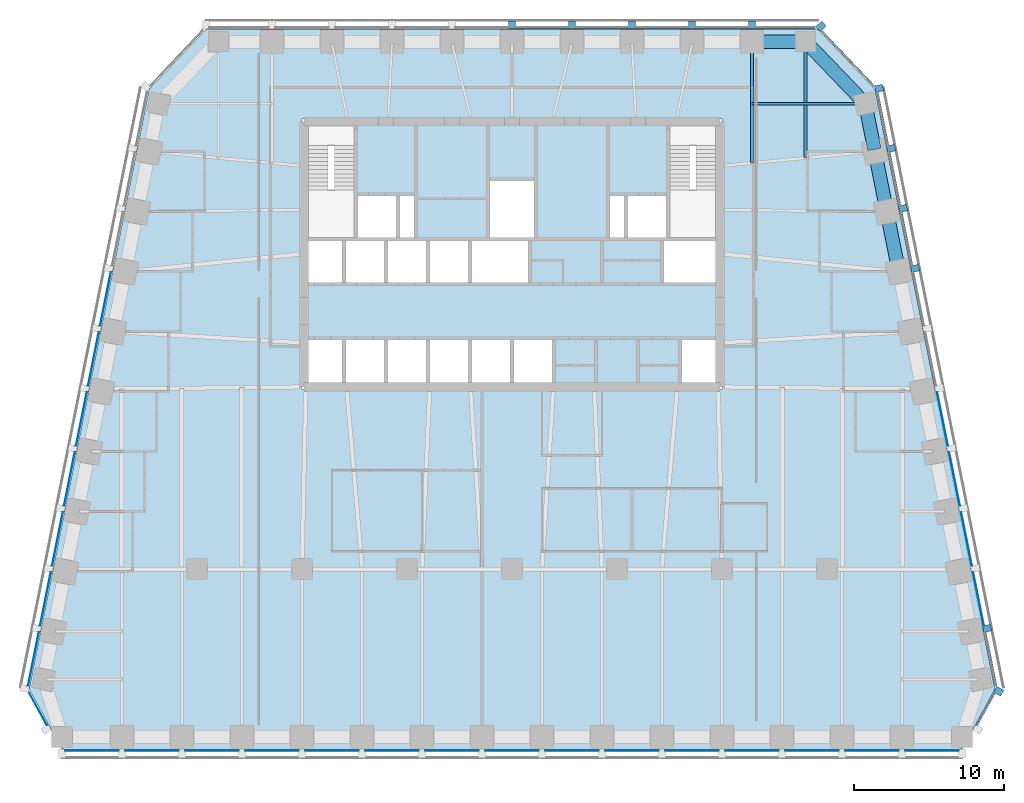
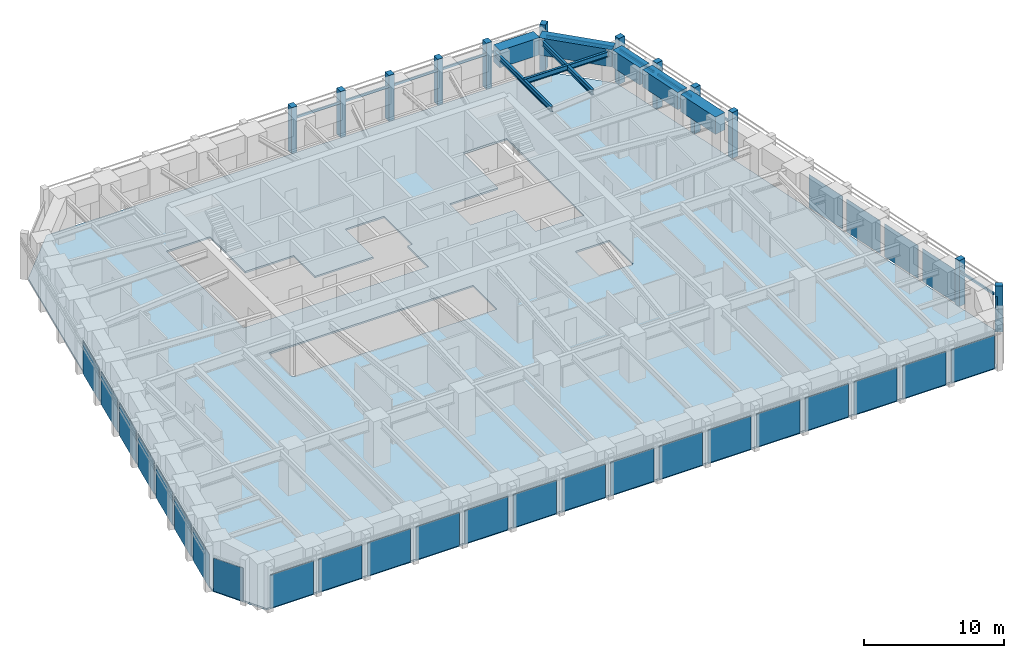
# One storey, part 4 of 10: 27 plates, 23 members, 8 beams, 1 slab, 7 elements without a shape of their own.
"""IFC4 building model written with IfcOpenShell, lengths in metres."""

from ifc_helpers import new_model, si_unit, direction, frame, origin, origin_2d, place, context, subcontext, project, spatial, polyline, rectangle, i_section, outline, extrude, material, layer, layer_set, material_profile, profile_set, type_object, element, aggregate, save


model = new_model("IFC4")

# Units and contexts
model_context = context("Model", 3, precision=1e-05, world=origin(), true_north=direction((0.0, 1.0)))
body_context = subcontext(model_context, "Body", "Model", "MODEL_VIEW")
ifc_project = project(units=[si_unit("LENGTHUNIT", "METRE"), si_unit("AREAUNIT", "SQUARE_METRE"), si_unit("VOLUMEUNIT", "CUBIC_METRE"), si_unit("PLANEANGLEUNIT", "RADIAN"), si_unit("MASSUNIT", "GRAM", prefix="KILO")], contexts=[model_context])

# Site, building, storey
site_placement = place(None, origin())
site = spatial("IfcSite", under=ifc_project, at=site_placement, CompositionType="ELEMENT")
building_placement = place(site_placement, origin())
building = spatial("IfcBuilding", under=site, at=building_placement, Name="Isbrekke Arena Tower", CompositionType="ELEMENT")
storey_placement = place(building_placement, frame((0.0, 0.0, 194.0)))
storey = spatial("IfcBuildingStorey", under=building, at=storey_placement, Name="L44", CompositionType="ELEMENT", Elevation=194.0)

# Beams
ifc_material_1 = material(Name="Steel S355", Category="steel")
ifc_material_profile_1 = material_profile(ifc_material_1, i_section(OverallWidth=0.18994140625, OverallDepth=0.449951171875, WebThickness=0.009521484375, FlangeThickness=0.0146484375, FilletRadius=0.02099609375, at=origin_2d()), Name="IPE 450")
ifc_profile_set_1 = profile_set([ifc_material_profile_1], Name="Steel S355")
beam_type_1 = type_object("IfcBeamType", Name="B2 IPE 450", PredefinedType="BEAM", material=ifc_profile_set_1)
beam_1_placement = place(storey_placement, frame((23.40283203125, 25.029296875, 3.625), z_axis=(-1.0, 0.0, 0.0), x_axis=(0.0, -1.0, 0.0)))
element("IfcBeam", 1, at=beam_1_placement, inside=storey, type_object=beam_type_1, Name="B2 beam E-E11 L44", PredefinedType="BEAM", context=body_context, shape_type="SweptSolid", body=[
    extrude(i_section(OverallWidth=0.18994140625, OverallDepth=0.449951171875, WebThickness=0.009521484375, FlangeThickness=0.0146484375, FilletRadius=0.02099609375, at=origin_2d()), origin(), (0.0, 0.0, 1.0), 7.40283203125),
])
ifc_material_2 = material(Name="Steel S355", Category="steel")
ifc_material_profile_2 = material_profile(ifc_material_2, i_section(OverallWidth=0.18994140625, OverallDepth=0.449951171875, WebThickness=0.009521484375, FlangeThickness=0.0146484375, FilletRadius=0.02099609375, at=origin_2d()), Name="IPE 450")
ifc_profile_set_2 = profile_set([ifc_material_profile_2], Name="Steel S355")
beam_type_2 = type_object("IfcBeamType", Name="B3 IPE 450", PredefinedType="BEAM", material=ifc_profile_set_2)
beam_2_placement = place(storey_placement, frame((19.574951171875, 29.02490234375, 3.625), z_axis=(0.0, -1.0, 0.0), x_axis=(1.0, 0.0, 0.0)))
element("IfcBeam", 2, at=beam_2_placement, inside=storey, type_object=beam_type_2, Name="B3 beam N-N01 L44", PredefinedType="BEAM", context=body_context, shape_type="SweptSolid", body=[
    extrude(i_section(OverallWidth=0.18994140625, OverallDepth=0.449951171875, WebThickness=0.009521484375, FlangeThickness=0.0146484375, FilletRadius=0.02099609375, at=origin_2d()), origin(), (0.0, 0.0, 1.0), 7.6103515625),
])
beam_3_placement = place(storey_placement, frame((16.0, 29.02490234375, 3.625), z_axis=(0.0, -1.0, 0.0), x_axis=(1.0, 0.0, 0.0)))
element("IfcBeam", 3, at=beam_3_placement, inside=storey, type_object=beam_type_2, Name="B3 beam N-N02 L44", PredefinedType="BEAM", context=body_context, shape_type="SweptSolid", body=[
    extrude(i_section(OverallWidth=0.18994140625, OverallDepth=0.449951171875, WebThickness=0.009521484375, FlangeThickness=0.0146484375, FilletRadius=0.02099609375, at=origin_2d()), origin(), (0.0, 0.0, 1.0), 7.949462890625),
])

# Curtain wall, member
ifc_material_3 = material(Name="Glazed aluminium curtain wall", Category="aluminium")
curtain_wall_type = type_object("IfcCurtainWallType", Name="CWH TOWER CURTAIN WALL HIGH ZONE", PredefinedType="USERDEFINED", material=ifc_material_3)
curtain_wall_1_placement = place(storey_placement, origin())
curtain_wall_1 = element("IfcCurtainWall", 4, at=curtain_wall_1_placement, inside=storey, type_object=curtain_wall_type, Name="CWH curtain wall L44-SE", ObjectType="TOWER CURTAIN WALL HIGH ZONE", PredefinedType="USERDEFINED")
ifc_material_4 = material(Name="Aluminium mullion, pale brick slip cladding", Category="masonry")
ifc_material_profile_3 = material_profile(ifc_material_4, rectangle(XDim=0.449951171875, YDim=0.550048828125, at=origin_2d()), Name="PIER 450X550")
ifc_profile_set_3 = profile_set([ifc_material_profile_3], Name="Aluminium mullion, pale brick slip cladding")
member_type_1 = type_object("IfcMemberType", Name="CWH-M PIER MULLION 450 x 550", PredefinedType="MULLION", material=ifc_profile_set_3)
member_1_placement = place(storey_placement, frame((32.44091796875, -14.132568359375, 0.0), z_axis=(0.0, 0.0, 1.0), x_axis=(0.481918749773, 0.876215908676, 0.0)))
member_1 = element("IfcMember", 5, at=member_1_placement, type_object=member_type_1, Name="CWH-M mullion 2", PredefinedType="MULLION", context=body_context, shape_type="SweptSolid", body=[
    extrude(rectangle(XDim=0.449951171875, YDim=0.550048828125, at=origin_2d()), origin(), (0.0, 0.0, 1.0), 4.0),
])

# Curtain wall, members
curtain_wall_2_placement = place(storey_placement, origin())
curtain_wall_2 = element("IfcCurtainWall", 6, at=curtain_wall_2_placement, inside=storey, type_object=curtain_wall_type, Name="CWH curtain wall L44-E", ObjectType="TOWER CURTAIN WALL HIGH ZONE", PredefinedType="USERDEFINED")
member_2_placement = place(storey_placement, frame((31.669677734375, -9.946044921875, 0.0), z_axis=(0.0, 0.0, 1.0), x_axis=(-0.196116135138, 0.980580675691, 0.0)))
member_2 = element("IfcMember", 7, at=member_2_placement, type_object=member_type_1, Name="CWH-M mullion 1", PredefinedType="MULLION", context=body_context, shape_type="SweptSolid", body=[
    extrude(rectangle(XDim=0.449951171875, YDim=0.550048828125, at=origin_2d()), origin(), (0.0, 0.0, 1.0), 4.0),
])
member_3_placement = place(storey_placement, frame((26.86962890625, 14.053955078125, 0.0), z_axis=(0.0, 0.0, 1.0), x_axis=(-0.196116135138, 0.980580675691, 0.0)))
member_3 = element("IfcMember", 8, at=member_3_placement, type_object=member_type_1, Name="CWH-M mullion 7", PredefinedType="MULLION", context=body_context, shape_type="SweptSolid", body=[
    extrude(rectangle(XDim=0.449951171875, YDim=0.550048828125, at=origin_2d()), origin(), (0.0, 0.0, 1.0), 4.0),
])
member_4_placement = place(storey_placement, frame((26.069580078125, 18.053955078125, 0.0), z_axis=(0.0, 0.0, 1.0), x_axis=(-0.196116135138, 0.980580675691, 0.0)))
member_4 = element("IfcMember", 9, at=member_4_placement, type_object=member_type_1, Name="CWH-M mullion 8", PredefinedType="MULLION", context=body_context, shape_type="SweptSolid", body=[
    extrude(rectangle(XDim=0.449951171875, YDim=0.550048828125, at=origin_2d()), origin(), (0.0, 0.0, 1.0), 4.0),
])
member_5_placement = place(storey_placement, frame((25.269775390625, 22.053955078125, 0.0), z_axis=(0.0, 0.0, 1.0), x_axis=(-0.196116135138, 0.980580675691, 0.0)))
member_5 = element("IfcMember", 10, at=member_5_placement, type_object=member_type_1, Name="CWH-M mullion 9", PredefinedType="MULLION", context=body_context, shape_type="SweptSolid", body=[
    extrude(rectangle(XDim=0.449951171875, YDim=0.550048828125, at=origin_2d()), origin(), (0.0, 0.0, 1.0), 4.0),
])
member_6_placement = place(storey_placement, frame((24.4697265625, 26.053955078125, 0.0), z_axis=(0.0, 0.0, 1.0), x_axis=(-0.196116135138, 0.980580675691, 0.0)))
member_6 = element("IfcMember", 11, at=member_6_placement, type_object=member_type_1, Name="CWH-M mullion 10", PredefinedType="MULLION", context=body_context, shape_type="SweptSolid", body=[
    extrude(rectangle(XDim=0.449951171875, YDim=0.550048828125, at=origin_2d()), origin(), (0.0, 0.0, 1.0), 4.0),
])

# Curtain wall, member
curtain_wall_3_placement = place(storey_placement, origin())
curtain_wall_3 = element("IfcCurtainWall", 12, at=curtain_wall_3_placement, inside=storey, type_object=curtain_wall_type, Name="CWH curtain wall L44-EN", ObjectType="TOWER CURTAIN WALL HIGH ZONE", PredefinedType="USERDEFINED")
member_7_placement = place(storey_placement, frame((20.599365234375, 30.189453125, 0.0), z_axis=(0.0, 0.0, 1.0), x_axis=(-0.68874946192, 0.72499943359, 0.0)))
member_7 = element("IfcMember", 13, at=member_7_placement, type_object=member_type_1, Name="CWH-M mullion 1", PredefinedType="MULLION", context=body_context, shape_type="SweptSolid", body=[
    extrude(rectangle(XDim=0.449951171875, YDim=0.550048828125, at=origin_2d()), origin(), (0.0, 0.0, 1.0), 4.0),
])

# Curtain wall, members
curtain_wall_4_placement = place(storey_placement, origin())
curtain_wall_4 = element("IfcCurtainWall", 14, at=curtain_wall_4_placement, inside=storey, type_object=curtain_wall_type, Name="CWH curtain wall L44-N", ObjectType="TOWER CURTAIN WALL HIGH ZONE", PredefinedType="USERDEFINED")
member_8_placement = place(storey_placement, frame((16.0, 30.27490234375, 0.0), z_axis=(0.0, 0.0, 1.0), x_axis=(-1.0, 0.0, 0.0)))
member_8 = element("IfcMember", 15, at=member_8_placement, type_object=member_type_1, Name="CWH-M mullion 1", PredefinedType="MULLION", context=body_context, shape_type="SweptSolid", body=[
    extrude(rectangle(XDim=0.449951171875, YDim=0.550048828125, at=origin_2d()), origin(), (0.0, 0.0, 1.0), 4.0),
])
member_9_placement = place(storey_placement, frame((12.0, 30.27490234375, 0.0), z_axis=(0.0, 0.0, 1.0), x_axis=(-1.0, 0.0, 0.0)))
member_9 = element("IfcMember", 16, at=member_9_placement, type_object=member_type_1, Name="CWH-M mullion 2", PredefinedType="MULLION", context=body_context, shape_type="SweptSolid", body=[
    extrude(rectangle(XDim=0.449951171875, YDim=0.550048828125, at=origin_2d()), origin(), (0.0, 0.0, 1.0), 4.0),
])
member_10_placement = place(storey_placement, frame((8.0, 30.27490234375, 0.0), z_axis=(0.0, 0.0, 1.0), x_axis=(-1.0, 0.0, 0.0)))
member_10 = element("IfcMember", 17, at=member_10_placement, type_object=member_type_1, Name="CWH-M mullion 3", PredefinedType="MULLION", context=body_context, shape_type="SweptSolid", body=[
    extrude(rectangle(XDim=0.449951171875, YDim=0.550048828125, at=origin_2d()), origin(), (0.0, 0.0, 1.0), 4.0),
])
member_11_placement = place(storey_placement, frame((4.0, 30.27490234375, 0.0), z_axis=(0.0, 0.0, 1.0), x_axis=(-1.0, 0.0, 0.0)))
member_11 = element("IfcMember", 18, at=member_11_placement, type_object=member_type_1, Name="CWH-M mullion 4", PredefinedType="MULLION", context=body_context, shape_type="SweptSolid", body=[
    extrude(rectangle(XDim=0.449951171875, YDim=0.550048828125, at=origin_2d()), origin(), (0.0, 0.0, 1.0), 4.0),
])
member_12_placement = place(storey_placement, frame((0.0, 30.27490234375, 0.0), z_axis=(0.0, 0.0, 1.0), x_axis=(-1.0, 0.0, 0.0)))
member_12 = element("IfcMember", 19, at=member_12_placement, type_object=member_type_1, Name="CWH-M mullion 5", PredefinedType="MULLION", context=body_context, shape_type="SweptSolid", body=[
    extrude(rectangle(XDim=0.449951171875, YDim=0.550048828125, at=origin_2d()), origin(), (0.0, 0.0, 1.0), 4.0),
])

# Member
ifc_material_5 = material(Name="Aluminium transom", Category="aluminium")
ifc_material_profile_4 = material_profile(ifc_material_5, rectangle(XDim=0.1201171875, YDim=0.199951171875, at=origin_2d()), Name="TRANSOM 120X200")
ifc_profile_set_4 = profile_set([ifc_material_profile_4], Name="Aluminium transom")
member_type_2 = type_object("IfcMemberType", Name="CWH-T TRANSOM 120 x 200", PredefinedType="USERDEFINED", material=ifc_profile_set_4)
member_13_placement = place(storey_placement, frame((31.002197265625, -16.38525390625, 3.0), z_axis=(0.481937937062, 0.876205355393, 0.0), x_axis=(-0.876205355393, 0.481937937062, 0.0)))
member_13 = element("IfcMember", 20, at=member_13_placement, type_object=member_type_2, Name="CWH-T transom 1", ObjectType="TRANSOM", PredefinedType="USERDEFINED", context=body_context, shape_type="SweptSolid", body=[
    extrude(rectangle(XDim=0.1201171875, YDim=0.199951171875, at=origin_2d()), origin(), (0.0, 0.0, 1.0), 2.442138671875),
])

aggregate(curtain_wall_1, [member_1, member_13])

member_14_placement = place(storey_placement, frame((32.25390625, -13.759765625, 3.0), z_axis=(-0.196090262229, 0.980585849918, 0.0), x_axis=(-0.980585849918, -0.196090262229, 0.0)))
member_14 = element("IfcMember", 21, at=member_14_placement, type_object=member_type_2, Name="CWH-T transom 1", ObjectType="TRANSOM", PredefinedType="USERDEFINED", context=body_context, shape_type="SweptSolid", body=[
    extrude(rectangle(XDim=0.1201171875, YDim=0.199951171875, at=origin_2d()), origin(), (0.0, 0.0, 1.0), 3.62939453125),
])

member_15_placement = place(storey_placement, frame((26.654052734375, 14.240234375, 3.0), z_axis=(-0.196154943734, 0.980572913173, 0.0), x_axis=(-0.980572913173, -0.196154943734, 0.0)))
member_15 = element("IfcMember", 22, at=member_15_placement, type_object=member_type_2, Name="CWH-T transom 8", ObjectType="TRANSOM", PredefinedType="USERDEFINED", context=body_context, shape_type="SweptSolid", body=[
    extrude(rectangle(XDim=0.1201171875, YDim=0.199951171875, at=origin_2d()), origin(), (0.0, 0.0, 1.0), 3.62939453125),
])

member_16_placement = place(storey_placement, frame((25.85400390625, 18.240234375, 3.0), z_axis=(-0.196154943734, 0.980572913173, 0.0), x_axis=(-0.980572913173, -0.196154943734, 0.0)))
member_16 = element("IfcMember", 23, at=member_16_placement, type_object=member_type_2, Name="CWH-T transom 9", ObjectType="TRANSOM", PredefinedType="USERDEFINED", context=body_context, shape_type="SweptSolid", body=[
    extrude(rectangle(XDim=0.1201171875, YDim=0.199951171875, at=origin_2d()), origin(), (0.0, 0.0, 1.0), 3.62939453125),
])

member_17_placement = place(storey_placement, frame((25.053955078125, 22.240234375, 3.0), z_axis=(-0.196090262229, 0.980585849918, 0.0), x_axis=(-0.980585849918, -0.196090262229, 0.0)))
member_17 = element("IfcMember", 24, at=member_17_placement, type_object=member_type_2, Name="CWH-T transom 10", ObjectType="TRANSOM", PredefinedType="USERDEFINED", context=body_context, shape_type="SweptSolid", body=[
    extrude(rectangle(XDim=0.1201171875, YDim=0.199951171875, at=origin_2d()), origin(), (0.0, 0.0, 1.0), 3.62939453125),
])

member_18_placement = place(storey_placement, frame((24.117431640625, 26.23193359375, 3.0), z_axis=(-0.688734266994, 0.725013868466, 0.0), x_axis=(-0.725013868466, -0.688734266994, 0.0)))
member_18 = element("IfcMember", 25, at=member_18_placement, type_object=member_type_2, Name="CWH-T transom 1", ObjectType="TRANSOM", PredefinedType="USERDEFINED", context=body_context, shape_type="SweptSolid", body=[
    extrude(rectangle(XDim=0.1201171875, YDim=0.199951171875, at=origin_2d()), origin(), (0.0, 0.0, 1.0), 5.067138671875),
])

aggregate(curtain_wall_3, [member_7, member_18])

member_19_placement = place(storey_placement, frame((20.175048828125, 30.10009765625, 3.0), z_axis=(-1.0, 0.0, 0.0), x_axis=(0.0, -1.0, 0.0)))
member_19 = element("IfcMember", 26, at=member_19_placement, type_object=member_type_2, Name="CWH-T transom 1", ObjectType="TRANSOM", PredefinedType="USERDEFINED", context=body_context, shape_type="SweptSolid", body=[
    extrude(rectangle(XDim=0.1201171875, YDim=0.199951171875, at=origin_2d()), origin(), (0.0, 0.0, 1.0), 3.949951171875),
])

member_20_placement = place(storey_placement, frame((15.77490234375, 30.10009765625, 3.0), z_axis=(-1.0, 0.0, 0.0), x_axis=(0.0, -1.0, 0.0)))
member_20 = element("IfcMember", 27, at=member_20_placement, type_object=member_type_2, Name="CWH-T transom 2", ObjectType="TRANSOM", PredefinedType="USERDEFINED", context=body_context, shape_type="SweptSolid", body=[
    extrude(rectangle(XDim=0.1201171875, YDim=0.199951171875, at=origin_2d()), origin(), (0.0, 0.0, 1.0), 3.5498046875),
])

member_21_placement = place(storey_placement, frame((11.77490234375, 30.10009765625, 3.0), z_axis=(-1.0, 0.0, 0.0), x_axis=(0.0, -1.0, 0.0)))
member_21 = element("IfcMember", 28, at=member_21_placement, type_object=member_type_2, Name="CWH-T transom 3", ObjectType="TRANSOM", PredefinedType="USERDEFINED", context=body_context, shape_type="SweptSolid", body=[
    extrude(rectangle(XDim=0.1201171875, YDim=0.199951171875, at=origin_2d()), origin(), (0.0, 0.0, 1.0), 3.5498046875),
])

member_22_placement = place(storey_placement, frame((7.77490234375, 30.10009765625, 3.0), z_axis=(-1.0, 0.0, 0.0), x_axis=(0.0, -1.0, 0.0)))
member_22 = element("IfcMember", 29, at=member_22_placement, type_object=member_type_2, Name="CWH-T transom 4", ObjectType="TRANSOM", PredefinedType="USERDEFINED", context=body_context, shape_type="SweptSolid", body=[
    extrude(rectangle(XDim=0.1201171875, YDim=0.199951171875, at=origin_2d()), origin(), (0.0, 0.0, 1.0), 3.5498046875),
])

member_23_placement = place(storey_placement, frame((3.77490234375, 30.10009765625, 3.0), z_axis=(-1.0, 0.0, 0.0), x_axis=(0.0, -1.0, 0.0)))
member_23 = element("IfcMember", 30, at=member_23_placement, type_object=member_type_2, Name="CWH-T transom 5", ObjectType="TRANSOM", PredefinedType="USERDEFINED", context=body_context, shape_type="SweptSolid", body=[
    extrude(rectangle(XDim=0.1201171875, YDim=0.199951171875, at=origin_2d()), origin(), (0.0, 0.0, 1.0), 3.5498046875),
])

aggregate(curtain_wall_4, [member_8, member_9, member_10, member_11, member_12, member_19, member_20, member_21, member_22, member_23])

# Beams
ifc_material_6 = material(Name="Concrete B65 (C65/80)", Category="concrete")
ifc_material_profile_5 = material_profile(ifc_material_6, rectangle(XDim=0.89990234375, YDim=1.5, at=origin_2d()), Name="RC 900x1500")
ifc_profile_set_5 = profile_set([ifc_material_profile_5], Name="Concrete B65 (C65/80)")
beam_type_3 = type_object("IfcBeamType", Name="SB3 RC 900 x 1500", PredefinedType="SPANDREL", material=ifc_profile_set_5)
for number, where, z_axis, x_axis, name in (
    (31, (25.76171875, 13.9853515625, 3.25), (-0.196128558387, 0.980578190959, 0.0), (-0.980578190959, -0.196128558387, 0.0), "SB3 spandrel E08-E09 L44"),
    (32, (24.961669921875, 17.9853515625, 3.25), (-0.196128558387, 0.980578190959, 0.0), (-0.980578190959, -0.196128558387, 0.0), "SB3 spandrel E09-E10 L44"),
):
    element("IfcBeam", number, at=place(storey_placement, frame(where, z_axis=z_axis, x_axis=x_axis)), inside=storey, type_object=beam_type_3, Name=name, PredefinedType="SPANDREL", context=body_context, shape_type="SweptSolid", body=[
        extrude(rectangle(XDim=0.89990234375, YDim=1.5, at=origin_2d()), origin(), (0.0, 0.0, 1.0), 3.779296875),
    ])
beam_4_placement = place(storey_placement, frame((24.16162109375, 21.9853515625, 3.25), z_axis=(-0.196116135138, 0.980580675691, 0.0), x_axis=(-0.980580675691, -0.196116135138, 0.0)))
element("IfcBeam", 33, at=beam_4_placement, inside=storey, type_object=beam_type_3, Name="SB3 spandrel E10-E11 L44", PredefinedType="SPANDREL", context=body_context, shape_type="SweptSolid", body=[
    extrude(rectangle(XDim=0.89990234375, YDim=1.5, at=origin_2d()), origin(), (0.0, 0.0, 1.0), 2.9541015625),
])
beam_5_placement = place(storey_placement, frame((23.448974609375, 25.137451171875, 3.25), z_axis=(-0.692339547635, 0.721571861134, 0.0), x_axis=(-0.721571861134, -0.692339547635, 0.0)))
element("IfcBeam", 34, at=beam_5_placement, inside=storey, type_object=beam_type_3, Name="SB3 spandrel E11-N01 L44", PredefinedType="SPANDREL", context=body_context, shape_type="SweptSolid", body=[
    extrude(rectangle(XDim=0.89990234375, YDim=1.5, at=origin_2d()), origin(), (0.0, 0.0, 1.0), 5.4453125),
])
beam_6_placement = place(storey_placement, frame((19.425048828125, 29.175048828125, 3.25), z_axis=(-1.0, 0.0, 0.0), x_axis=(0.0, -1.0, 0.0)))
element("IfcBeam", 35, at=beam_6_placement, inside=storey, type_object=beam_type_3, Name="SB3 spandrel N01-N02 L44", PredefinedType="SPANDREL", context=body_context, shape_type="SweptSolid", body=[
    extrude(rectangle(XDim=0.89990234375, YDim=1.5, at=origin_2d()), origin(), (0.0, 0.0, 1.0), 3.275146484375),
])

# Curtain wall, plates
curtain_wall_5_placement = place(storey_placement, origin())
curtain_wall_5 = element("IfcCurtainWall", 36, at=curtain_wall_5_placement, inside=storey, type_object=curtain_wall_type, Name="CWH curtain wall L44-S", ObjectType="TOWER CURTAIN WALL HIGH ZONE", PredefinedType="USERDEFINED")
ifc_material_7 = material(Name="Triple-glazed clear glass unit", Category="glass")
ifc_layer_1 = layer(ifc_material_7, 0.031982421875)
ifc_layer_set_1 = layer_set([ifc_layer_1], Name="CWH-P VISION PANEL")
plate_type = type_object("IfcPlateType", Name="CWH-P VISION PANEL", PredefinedType="CURTAIN_PANEL", material=ifc_layer_set_1)
plate_1_placement = place(storey_placement, frame((-28.0, -18.10009765625, 0.02001953125), z_axis=(0.0, 0.0, 1.0), x_axis=(1.0, 0.0, 0.0)))
plate_1 = element("IfcPlate", 37, at=plate_1_placement, type_object=plate_type, Name="CWH-P panel 1", PredefinedType="CURTAIN_PANEL", context=body_context, shape_type="SweptSolid", body=[
    extrude(rectangle(XDim=3.550048828125, YDim=0.031982421875, at=origin_2d()), origin(), (0.0, 0.0, 1.0), 2.8798828125),
])
plate_2_placement = place(storey_placement, frame((-24.0, -18.10009765625, 0.02001953125), z_axis=(0.0, 0.0, 1.0), x_axis=(1.0, 0.0, 0.0)))
plate_2 = element("IfcPlate", 38, at=plate_2_placement, type_object=plate_type, Name="CWH-P panel 2", PredefinedType="CURTAIN_PANEL", context=body_context, shape_type="SweptSolid", body=[
    extrude(rectangle(XDim=3.550048828125, YDim=0.031982421875, at=origin_2d()), origin(), (0.0, 0.0, 1.0), 2.8798828125),
])
plate_3_placement = place(storey_placement, frame((-20.0, -18.10009765625, 0.02001953125), z_axis=(0.0, 0.0, 1.0), x_axis=(1.0, 0.0, 0.0)))
plate_3 = element("IfcPlate", 39, at=plate_3_placement, type_object=plate_type, Name="CWH-P panel 3", PredefinedType="CURTAIN_PANEL", context=body_context, shape_type="SweptSolid", body=[
    extrude(rectangle(XDim=3.550048828125, YDim=0.031982421875, at=origin_2d()), origin(), (0.0, 0.0, 1.0), 2.8798828125),
])
plate_4_placement = place(storey_placement, frame((-16.0, -18.10009765625, 0.02001953125), z_axis=(0.0, 0.0, 1.0), x_axis=(1.0, 0.0, 0.0)))
plate_4 = element("IfcPlate", 40, at=plate_4_placement, type_object=plate_type, Name="CWH-P panel 4", PredefinedType="CURTAIN_PANEL", context=body_context, shape_type="SweptSolid", body=[
    extrude(rectangle(XDim=3.550048828125, YDim=0.031982421875, at=origin_2d()), origin(), (0.0, 0.0, 1.0), 2.8798828125),
])
plate_5_placement = place(storey_placement, frame((-12.0, -18.10009765625, 0.02001953125), z_axis=(0.0, 0.0, 1.0), x_axis=(1.0, 0.0, 0.0)))
plate_5 = element("IfcPlate", 41, at=plate_5_placement, type_object=plate_type, Name="CWH-P panel 5", PredefinedType="CURTAIN_PANEL", context=body_context, shape_type="SweptSolid", body=[
    extrude(rectangle(XDim=3.550048828125, YDim=0.031982421875, at=origin_2d()), origin(), (0.0, 0.0, 1.0), 2.8798828125),
])
plate_6_placement = place(storey_placement, frame((-8.0, -18.10009765625, 0.02001953125), z_axis=(0.0, 0.0, 1.0), x_axis=(1.0, 0.0, 0.0)))
plate_6 = element("IfcPlate", 42, at=plate_6_placement, type_object=plate_type, Name="CWH-P panel 6", PredefinedType="CURTAIN_PANEL", context=body_context, shape_type="SweptSolid", body=[
    extrude(rectangle(XDim=3.550048828125, YDim=0.031982421875, at=origin_2d()), origin(), (0.0, 0.0, 1.0), 2.8798828125),
])
plate_7_placement = place(storey_placement, frame((-4.0, -18.10009765625, 0.02001953125), z_axis=(0.0, 0.0, 1.0), x_axis=(1.0, 0.0, 0.0)))
plate_7 = element("IfcPlate", 43, at=plate_7_placement, type_object=plate_type, Name="CWH-P panel 7", PredefinedType="CURTAIN_PANEL", context=body_context, shape_type="SweptSolid", body=[
    extrude(rectangle(XDim=3.550048828125, YDim=0.031982421875, at=origin_2d()), origin(), (0.0, 0.0, 1.0), 2.8798828125),
])
plate_8_placement = place(storey_placement, frame((0.0, -18.10009765625, 0.02001953125), z_axis=(0.0, 0.0, 1.0), x_axis=(1.0, 0.0, 0.0)))
plate_8 = element("IfcPlate", 44, at=plate_8_placement, type_object=plate_type, Name="CWH-P panel 8", PredefinedType="CURTAIN_PANEL", context=body_context, shape_type="SweptSolid", body=[
    extrude(rectangle(XDim=3.550048828125, YDim=0.031982421875, at=origin_2d()), origin(), (0.0, 0.0, 1.0), 2.8798828125),
])
plate_9_placement = place(storey_placement, frame((4.0, -18.10009765625, 0.02001953125), z_axis=(0.0, 0.0, 1.0), x_axis=(1.0, 0.0, 0.0)))
plate_9 = element("IfcPlate", 45, at=plate_9_placement, type_object=plate_type, Name="CWH-P panel 9", PredefinedType="CURTAIN_PANEL", context=body_context, shape_type="SweptSolid", body=[
    extrude(rectangle(XDim=3.550048828125, YDim=0.031982421875, at=origin_2d()), origin(), (0.0, 0.0, 1.0), 2.8798828125),
])
plate_10_placement = place(storey_placement, frame((8.0, -18.10009765625, 0.02001953125), z_axis=(0.0, 0.0, 1.0), x_axis=(1.0, 0.0, 0.0)))
plate_10 = element("IfcPlate", 46, at=plate_10_placement, type_object=plate_type, Name="CWH-P panel 10", PredefinedType="CURTAIN_PANEL", context=body_context, shape_type="SweptSolid", body=[
    extrude(rectangle(XDim=3.550048828125, YDim=0.031982421875, at=origin_2d()), origin(), (0.0, 0.0, 1.0), 2.8798828125),
])
plate_11_placement = place(storey_placement, frame((12.0, -18.10009765625, 0.02001953125), z_axis=(0.0, 0.0, 1.0), x_axis=(1.0, 0.0, 0.0)))
plate_11 = element("IfcPlate", 47, at=plate_11_placement, type_object=plate_type, Name="CWH-P panel 11", PredefinedType="CURTAIN_PANEL", context=body_context, shape_type="SweptSolid", body=[
    extrude(rectangle(XDim=3.550048828125, YDim=0.031982421875, at=origin_2d()), origin(), (0.0, 0.0, 1.0), 2.8798828125),
])
plate_12_placement = place(storey_placement, frame((16.0, -18.10009765625, 0.02001953125), z_axis=(0.0, 0.0, 1.0), x_axis=(1.0, 0.0, 0.0)))
plate_12 = element("IfcPlate", 48, at=plate_12_placement, type_object=plate_type, Name="CWH-P panel 12", PredefinedType="CURTAIN_PANEL", context=body_context, shape_type="SweptSolid", body=[
    extrude(rectangle(XDim=3.550048828125, YDim=0.031982421875, at=origin_2d()), origin(), (0.0, 0.0, 1.0), 2.8798828125),
])
plate_13_placement = place(storey_placement, frame((20.0, -18.10009765625, 0.02001953125), z_axis=(0.0, 0.0, 1.0), x_axis=(1.0, 0.0, 0.0)))
plate_13 = element("IfcPlate", 49, at=plate_13_placement, type_object=plate_type, Name="CWH-P panel 13", PredefinedType="CURTAIN_PANEL", context=body_context, shape_type="SweptSolid", body=[
    extrude(rectangle(XDim=3.550048828125, YDim=0.031982421875, at=origin_2d()), origin(), (0.0, 0.0, 1.0), 2.8798828125),
])
plate_14_placement = place(storey_placement, frame((24.0, -18.10009765625, 0.02001953125), z_axis=(0.0, 0.0, 1.0), x_axis=(1.0, 0.0, 0.0)))
plate_14 = element("IfcPlate", 50, at=plate_14_placement, type_object=plate_type, Name="CWH-P panel 14", PredefinedType="CURTAIN_PANEL", context=body_context, shape_type="SweptSolid", body=[
    extrude(rectangle(XDim=3.550048828125, YDim=0.031982421875, at=origin_2d()), origin(), (0.0, 0.0, 1.0), 2.8798828125),
])
plate_15_placement = place(storey_placement, frame((28.0, -18.10009765625, 0.02001953125), z_axis=(0.0, 0.0, 1.0), x_axis=(1.0, 0.0, 0.0)))
plate_15 = element("IfcPlate", 51, at=plate_15_placement, type_object=plate_type, Name="CWH-P panel 15", PredefinedType="CURTAIN_PANEL", context=body_context, shape_type="SweptSolid", body=[
    extrude(rectangle(XDim=3.550048828125, YDim=0.031982421875, at=origin_2d()), origin(), (0.0, 0.0, 1.0), 2.8798828125),
])
aggregate(curtain_wall_5, [plate_1, plate_2, plate_3, plate_4, plate_5, plate_6, plate_7, plate_8, plate_9, plate_10, plate_11, plate_12, plate_13, plate_14, plate_15])

# Plate
plate_16_placement = place(storey_placement, frame((31.09814453125, -7.98046875, 0.02001953125), z_axis=(0.0, 0.0, 1.0), x_axis=(-0.196116135138, 0.980580675691, 0.0)))
plate_16 = element("IfcPlate", 52, at=plate_16_placement, type_object=plate_type, Name="CWH-P panel 2", PredefinedType="CURTAIN_PANEL", context=body_context, shape_type="SweptSolid", body=[
    extrude(rectangle(XDim=3.629150390625, YDim=0.031982421875, at=origin_2d()), origin(), (0.0, 0.0, 1.0), 2.8798828125),
])

plate_17_placement = place(storey_placement, frame((30.298095703125, -3.98046875, 0.02001953125), z_axis=(0.0, 0.0, 1.0), x_axis=(-0.196116135138, 0.980580675691, 0.0)))
plate_17 = element("IfcPlate", 53, at=plate_17_placement, type_object=plate_type, Name="CWH-P panel 3", PredefinedType="CURTAIN_PANEL", context=body_context, shape_type="SweptSolid", body=[
    extrude(rectangle(XDim=3.629150390625, YDim=0.031982421875, at=origin_2d()), origin(), (0.0, 0.0, 1.0), 2.8798828125),
])

plate_18_placement = place(storey_placement, frame((29.498046875, 0.01953125, 0.02001953125), z_axis=(0.0, 0.0, 1.0), x_axis=(-0.196116135138, 0.980580675691, 0.0)))
plate_18 = element("IfcPlate", 54, at=plate_18_placement, type_object=plate_type, Name="CWH-P panel 4", PredefinedType="CURTAIN_PANEL", context=body_context, shape_type="SweptSolid", body=[
    extrude(rectangle(XDim=3.629150390625, YDim=0.031982421875, at=origin_2d()), origin(), (0.0, 0.0, 1.0), 2.8798828125),
])

plate_19_placement = place(storey_placement, frame((28.697998046875, 4.01953125, 0.02001953125), z_axis=(0.0, 0.0, 1.0), x_axis=(-0.196116135138, 0.980580675691, 0.0)))
plate_19 = element("IfcPlate", 55, at=plate_19_placement, type_object=plate_type, Name="CWH-P panel 5", PredefinedType="CURTAIN_PANEL", context=body_context, shape_type="SweptSolid", body=[
    extrude(rectangle(XDim=3.629150390625, YDim=0.031982421875, at=origin_2d()), origin(), (0.0, 0.0, 1.0), 2.8798828125),
])

aggregate(curtain_wall_2, [member_2, member_3, member_4, member_5, member_6, member_14, plate_16, plate_17, plate_18, plate_19, member_15, member_16, member_17])

# Curtain wall, plates
curtain_wall_6_placement = place(storey_placement, origin())
curtain_wall_6 = element("IfcCurtainWall", 56, at=curtain_wall_6_placement, inside=storey, type_object=curtain_wall_type, Name="CWH curtain wall L44-W", ObjectType="TOWER CURTAIN WALL HIGH ZONE", PredefinedType="USERDEFINED")
plate_20_placement = place(storey_placement, frame((-27.09814453125, 12.01953125, 0.02001953125), z_axis=(0.0, 0.0, 1.0), x_axis=(-0.196116135138, -0.980580675691, 0.0)))
plate_20 = element("IfcPlate", 57, at=plate_20_placement, type_object=plate_type, Name="CWH-P panel 4", PredefinedType="CURTAIN_PANEL", context=body_context, shape_type="SweptSolid", body=[
    extrude(rectangle(XDim=3.629150390625, YDim=0.031982421875, at=origin_2d()), origin(), (0.0, 0.0, 1.0), 2.8798828125),
])
plate_21_placement = place(storey_placement, frame((-27.89794921875, 8.01953125, 0.02001953125), z_axis=(0.0, 0.0, 1.0), x_axis=(-0.196116135138, -0.980580675691, 0.0)))
plate_21 = element("IfcPlate", 58, at=plate_21_placement, type_object=plate_type, Name="CWH-P panel 5", PredefinedType="CURTAIN_PANEL", context=body_context, shape_type="SweptSolid", body=[
    extrude(rectangle(XDim=3.629150390625, YDim=0.031982421875, at=origin_2d()), origin(), (0.0, 0.0, 1.0), 2.8798828125),
])
plate_22_placement = place(storey_placement, frame((-28.697998046875, 4.01953125, 0.02001953125), z_axis=(0.0, 0.0, 1.0), x_axis=(-0.196116135138, -0.980580675691, 0.0)))
plate_22 = element("IfcPlate", 59, at=plate_22_placement, type_object=plate_type, Name="CWH-P panel 6", PredefinedType="CURTAIN_PANEL", context=body_context, shape_type="SweptSolid", body=[
    extrude(rectangle(XDim=3.629150390625, YDim=0.031982421875, at=origin_2d()), origin(), (0.0, 0.0, 1.0), 2.8798828125),
])
plate_23_placement = place(storey_placement, frame((-29.498046875, 0.01953125, 0.02001953125), z_axis=(0.0, 0.0, 1.0), x_axis=(-0.196116135138, -0.980580675691, 0.0)))
plate_23 = element("IfcPlate", 60, at=plate_23_placement, type_object=plate_type, Name="CWH-P panel 7", PredefinedType="CURTAIN_PANEL", context=body_context, shape_type="SweptSolid", body=[
    extrude(rectangle(XDim=3.629150390625, YDim=0.031982421875, at=origin_2d()), origin(), (0.0, 0.0, 1.0), 2.8798828125),
])
plate_24_placement = place(storey_placement, frame((-30.298095703125, -3.98046875, 0.02001953125), z_axis=(0.0, 0.0, 1.0), x_axis=(-0.196116135138, -0.980580675691, 0.0)))
plate_24 = element("IfcPlate", 61, at=plate_24_placement, type_object=plate_type, Name="CWH-P panel 8", PredefinedType="CURTAIN_PANEL", context=body_context, shape_type="SweptSolid", body=[
    extrude(rectangle(XDim=3.629150390625, YDim=0.031982421875, at=origin_2d()), origin(), (0.0, 0.0, 1.0), 2.8798828125),
])
plate_25_placement = place(storey_placement, frame((-31.09814453125, -7.98046875, 0.02001953125), z_axis=(0.0, 0.0, 1.0), x_axis=(-0.196116135138, -0.980580675691, 0.0)))
plate_25 = element("IfcPlate", 62, at=plate_25_placement, type_object=plate_type, Name="CWH-P panel 9", PredefinedType="CURTAIN_PANEL", context=body_context, shape_type="SweptSolid", body=[
    extrude(rectangle(XDim=3.629150390625, YDim=0.031982421875, at=origin_2d()), origin(), (0.0, 0.0, 1.0), 2.8798828125),
])
plate_26_placement = place(storey_placement, frame((-31.89794921875, -11.98046875, 0.02001953125), z_axis=(0.0, 0.0, 1.0), x_axis=(-0.196116135138, -0.980580675691, 0.0)))
plate_26 = element("IfcPlate", 63, at=plate_26_placement, type_object=plate_type, Name="CWH-P panel 10", PredefinedType="CURTAIN_PANEL", context=body_context, shape_type="SweptSolid", body=[
    extrude(rectangle(XDim=3.629150390625, YDim=0.031982421875, at=origin_2d()), origin(), (0.0, 0.0, 1.0), 2.8798828125),
])
aggregate(curtain_wall_6, [plate_20, plate_21, plate_22, plate_23, plate_24, plate_25, plate_26])

# Curtain wall, plate
curtain_wall_7_placement = place(storey_placement, origin())
curtain_wall_7 = element("IfcCurtainWall", 64, at=curtain_wall_7_placement, inside=storey, type_object=curtain_wall_type, Name="CWH curtain wall L44-WS", ObjectType="TOWER CURTAIN WALL HIGH ZONE", PredefinedType="USERDEFINED")
plate_27_placement = place(storey_placement, frame((-31.59033203125, -15.31591796875, 0.02001953125), z_axis=(0.0, 0.0, 1.0), x_axis=(0.481918749773, -0.876215908676, 0.0)))
plate_27 = element("IfcPlate", 65, at=plate_27_placement, type_object=plate_type, Name="CWH-P panel 1", PredefinedType="CURTAIN_PANEL", context=body_context, shape_type="SweptSolid", body=[
    extrude(rectangle(XDim=2.443603515625, YDim=0.031982421875, at=origin_2d()), origin(), (0.0, 0.0, 1.0), 2.8798828125),
])
aggregate(curtain_wall_7, [plate_27])

# Slab
ifc_material_8 = material(Name="Concrete B35 (C35/45)", Category="concrete")
ifc_layer_2 = layer(ifc_material_8, 0.14990234375)
ifc_layer_set_2 = layer_set([ifc_layer_2], Name="FS1 COMPOSITE FLOOR 150")
slab_type = type_object("IfcSlabType", Name="FS1 COMPOSITE FLOOR 150", PredefinedType="FLOOR", material=ifc_layer_set_2)
slab_placement = place(storey_placement, frame((0.0, 0.0, -0.14990234375)))
element("IfcSlab", 66, at=slab_placement, inside=storey, type_object=slab_type, Name="FS1 floor slab L44", PredefinedType="FLOOR", context=body_context, shape_type="SweptSolid", body=[
    extrude(outline(polyline([(-30.0, -18.0), (30.0, -18.0), (32.199951171875, -14.0), (24.199951171875, 26.0), (20.39990234375, 30.0), (-20.39990234375, 30.0), (-24.199951171875, 26.0), (-32.199951171875, -14.0), (-30.0, -18.0)]), holes=[polyline([(2.800048828125, 9.39990234375), (2.800048828125, 6.0), (-14.0, 6.0), (-14.0, 9.39990234375), (2.800048828125, 9.39990234375)]), polyline([(11.199951171875, 6.0), (11.199951171875, 9.39990234375), (14.0, 9.39990234375), (14.0, 6.0), (11.199951171875, 6.0)]), polyline([(-14.0, 13.0), (-14.0, 24.0), (-10.39990234375, 24.0), (-10.39990234375, 19.0), (-6.39990234375, 19.0), (-6.39990234375, 16.0), (-1.60009765625, 16.0), (-1.60009765625, 20.0), (1.60009765625, 20.0), (1.60009765625, 16.0), (1.199951171875, 16.0), (1.199951171875, 13.0), (-14.0, 13.0)]), polyline([(10.0, 13.0), (10.0, 16.0), (6.39990234375, 16.0), (6.39990234375, 19.0), (10.39990234375, 19.0), (10.39990234375, 24.0), (14.0, 24.0), (14.0, 13.0), (10.0, 13.0)])]), origin(), (0.0, 0.0, 1.0), 0.14990234375),
])

save(model, "model.ifc")
